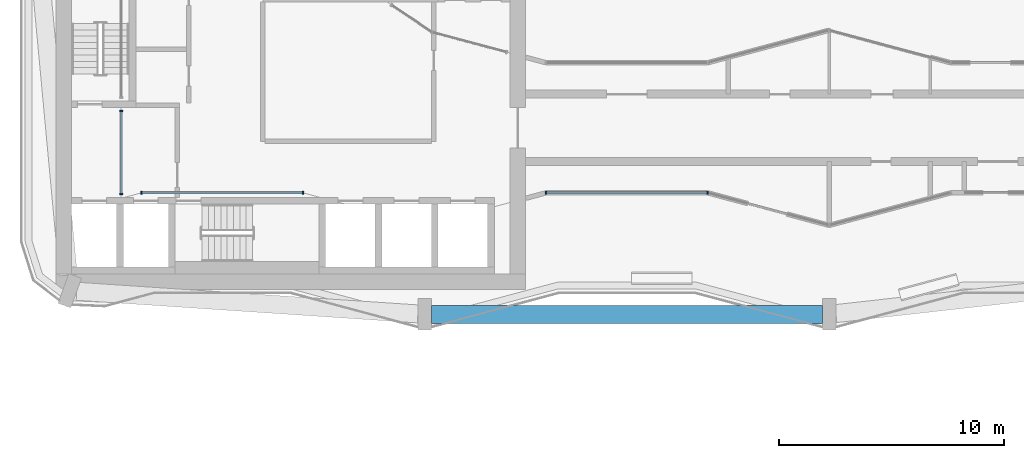
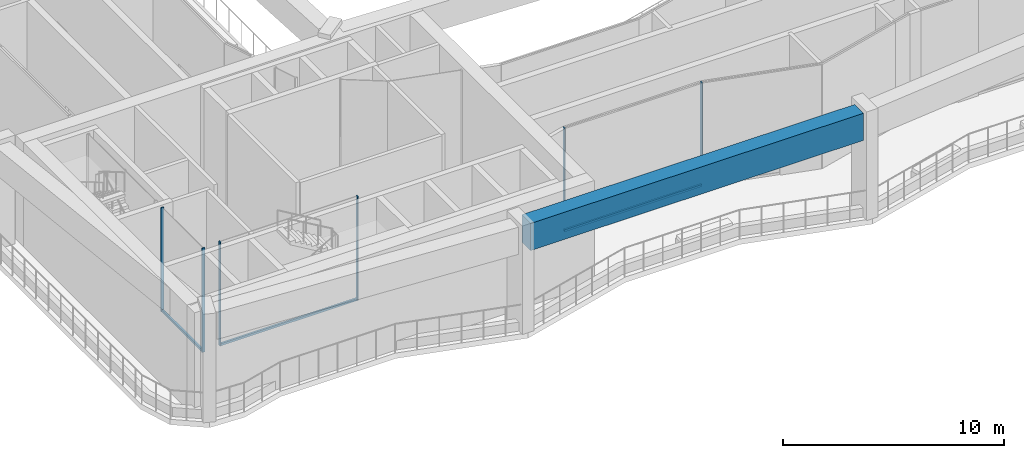
# One storey, part 2 of 24: 9 members, 1 beam, 3 elements without a shape of their own.
"""IFC4 building model written with IfcOpenShell, lengths in metres."""

import ifcopenshell
import ifcopenshell.guid

model = None  # the IFC model being written
_history = None  # IfcOwnerHistory: only IFC2X3 demands one
_inside = {}  # id of a spatial element -> (the spatial element, [elements in it])
_under = {}  # id of a project, library or spatial element -> (it, [spatial elements below it])
_declared = {}  # id of a project -> (the project, [libraries it declares])
_typed = {}  # id of a type object -> (the type object, [elements of that type])
_made_of = {}  # id of a material, layer set ... -> (it, [elements and type objects made of it])


def new_model(schema):
    """Start an empty IFC model of exactly this schema.

    Asked for "IFC4X3", IfcOpenShell would pick the latest addendum, in which some entities
    have other attributes; the version numbers below select the first issue.
    IFC2X3 requires an IfcOwnerHistory on every rooted entity: one is made here for all.
    """
    global model, _history
    if schema == "IFC4X3":
        model = ifcopenshell.file(schema_version=(4, 3, 0, 0))
    else:
        model = ifcopenshell.file(schema=schema)
    _inside.clear()
    _under.clear()
    _declared.clear()
    _typed.clear()
    _made_of.clear()
    _history = None
    if model.schema == "IFC2X3":
        org = make("IfcOrganization", Name="unknown")
        user = make(
            "IfcPersonAndOrganization",
            ThePerson=make("IfcPerson", FamilyName="unknown"),
            TheOrganization=org,
        )
        app = make(
            "IfcApplication",
            ApplicationDeveloper=org,
            Version="unknown",
            ApplicationFullName="unknown",
            ApplicationIdentifier="unknown",
        )
        _history = make(
            "IfcOwnerHistory",
            OwningUser=user,
            OwningApplication=app,
            ChangeAction="ADDED",
            CreationDate=0,
        )
    return model


def make(cls, **values):
    """One entity of the class cls with the attributes given. An attribute that is None is left unset."""
    return model.create_entity(
        cls, **{name: value for name, value in values.items() if value is not None}
    )


def rooted(cls, **values):
    """An entity with a GlobalId (a new one), such as an element, a storey or a relation."""
    return make(cls, GlobalId=ifcopenshell.guid.new(), OwnerHistory=_history, **values)


def si_unit(unit_type, name, prefix=None):
    """IfcSIUnit, for example si_unit("LENGTHUNIT", "METRE", prefix="MILLI")."""
    return make("IfcSIUnit", UnitType=unit_type, Prefix=prefix, Name=name)


def assignment(units):
    """IfcUnitAssignment: the units of a project."""
    return None if units is None else make("IfcUnitAssignment", Units=units)


def point(xyz):
    """IfcCartesianPoint."""
    return None if xyz is None else make("IfcCartesianPoint", Coordinates=xyz)


def direction(xyz):
    """IfcDirection."""
    return None if xyz is None else make("IfcDirection", DirectionRatios=xyz)


def frame(location, z_axis=None, x_axis=None):
    """IfcAxis2Placement3D, a coordinate frame: its origin and axes. An axis left out is left unset."""
    return make(
        "IfcAxis2Placement3D",
        Location=point(location),
        Axis=direction(z_axis),
        RefDirection=direction(x_axis),
    )


def frame_2d(location, x_axis=None):
    """IfcAxis2Placement2D, a coordinate frame in the plane: its origin and x axis."""
    return make(
        "IfcAxis2Placement2D", Location=point(location), RefDirection=direction(x_axis)
    )


def origin():
    """The frame at (0, 0, 0) with its axes left unset."""
    return frame((0.0, 0.0, 0.0))


def origin_2d():
    """The frame at (0, 0) in the plane with its x axis left unset."""
    return frame_2d((0.0, 0.0))


def place(relative_to, where):
    """IfcLocalPlacement: puts the frame where relative to a parent placement (None: the world)."""
    return make(
        "IfcLocalPlacement", PlacementRelTo=relative_to, RelativePlacement=where
    )


def context(
    kind, dimensions, precision=None, world=None, true_north=None, identifier=None
):
    """IfcGeometricRepresentationContext, for example the 3D "Model" context."""
    return make(
        "IfcGeometricRepresentationContext",
        ContextIdentifier=identifier,
        ContextType=kind,
        CoordinateSpaceDimension=dimensions,
        Precision=precision,
        WorldCoordinateSystem=world,
        TrueNorth=true_north,
    )


def subcontext(parent, identifier, kind, view, scale=None):
    """IfcGeometricRepresentationSubContext, for example "Body" below "Model"."""
    return make(
        "IfcGeometricRepresentationSubContext",
        ContextIdentifier=identifier,
        ContextType=kind,
        ParentContext=parent,
        TargetScale=scale,
        TargetView=view,
    )


def project(units=None, contexts=None):
    """IfcProject with its units and contexts."""
    return rooted(
        "IfcProject",
        Name="project",
        RepresentationContexts=contexts,
        UnitsInContext=assignment(units),
    )


def spatial(cls, under=None, at=None, **own):
    """A site, building, storey or space (cls), placed at a placement, below another one or the project."""
    s = rooted(cls, ObjectPlacement=at, **own)
    if under is not None:
        _under.setdefault(under.id(), (under, []))[1].append(s)
    return s


def profile(cls, at=None, kind="AREA", **sizes):
    """A parametric profile (cls). Its sizes go by their IFC names, for example OverallWidth=200.0."""
    return make(cls, ProfileType=kind, Position=at, **sizes)


def rectangle(**sizes):
    """IfcRectangleProfileDef."""
    return profile("IfcRectangleProfileDef", **sizes)


def extrude(swept, where, along, depth):
    """IfcExtrudedAreaSolid: the profile swept, set in the frame where, extruded along a direction by depth."""
    return make(
        "IfcExtrudedAreaSolid",
        SweptArea=swept,
        Position=where,
        ExtrudedDirection=direction(along),
        Depth=depth,
    )


def shape(context_of_items, identifier, shape_type, items):
    """IfcShapeRepresentation: the items that make up one representation, for example the "Body"."""
    return make(
        "IfcShapeRepresentation",
        ContextOfItems=context_of_items,
        RepresentationIdentifier=identifier,
        RepresentationType=shape_type,
        Items=items,
    )


def material(Name=None, Category=None):
    """IfcMaterial."""
    return make("IfcMaterial", Name=Name, Category=Category)


def layer(
    of_material, thickness, ventilated=None, Name=None, Category=None, Priority=None
):
    """IfcMaterialLayer: one layer of a wall or slab, of a material (None: an air gap)."""
    return make(
        "IfcMaterialLayer",
        Material=of_material,
        LayerThickness=thickness,
        IsVentilated=ventilated,
        Name=Name,
        Category=Category,
        Priority=Priority,
    )


def layer_set(layers, Name=None):
    """IfcMaterialLayerSet."""
    return make("IfcMaterialLayerSet", MaterialLayers=layers, LayerSetName=Name)


def material_profile(
    of_material, cross_section, Name=None, Category=None, Priority=None
):
    """IfcMaterialProfile: a cross section and its material."""
    return make(
        "IfcMaterialProfile",
        Name=Name,
        Material=of_material,
        Profile=cross_section,
        Priority=Priority,
        Category=Category,
    )


def profile_set(profiles, Name=None, composite=None):
    """IfcMaterialProfileSet."""
    return make(
        "IfcMaterialProfileSet",
        Name=Name,
        MaterialProfiles=profiles,
        CompositeProfile=composite,
    )


def made_of(thing, what):
    """Note that an element or type object is made of a material, layer set ...; save() writes the relation."""
    if what is not None:
        _made_of.setdefault(what.id(), (what, []))[1].append(thing)
    return thing


def type_object(cls, material=None, **own):
    """A type object (cls), such as IfcWallType, which elements share."""
    return made_of(rooted(cls, **own), material)


def element(
    cls,
    number,
    at=None,
    inside=None,
    cuts=None,
    type_object=None,
    material=None,
    context=None,
    identifier="Body",
    shape_type=None,
    held_by="IfcProductDefinitionShape",
    body=None,
    shapes=None,
    **own,
):
    """One element of the class cls, such as IfcWall. Its Tag is "e" and its number.

    at: its placement. inside: the storey or other place that contains it. cuts: it is an
    opening in that element (IfcRelVoidsElement). A single representation is given by context,
    identifier, shape_type and body (its items); several are given by shapes. held_by: the class
    of the entity that holds the representations. save() writes the other relations.
    """
    e = rooted(cls, Tag="e%d" % number, ObjectPlacement=at, **own)
    if body is not None:
        shapes = [shape(context, identifier, shape_type, body)]
    if shapes is not None:
        e.Representation = make(held_by, Representations=shapes)
    if inside is not None:
        _inside.setdefault(inside.id(), (inside, []))[1].append(e)
    if cuts is not None:
        rooted(
            "IfcRelVoidsElement", RelatingBuildingElement=cuts, RelatedOpeningElement=e
        )
    if type_object is not None:
        _typed.setdefault(type_object.id(), (type_object, []))[1].append(e)
    return made_of(e, material)


def aggregate(whole, parts):
    """IfcRelAggregates: a whole, such as a stair, and the parts it consists of."""
    return rooted("IfcRelAggregates", RelatingObject=whole, RelatedObjects=parts)


def save(model, path):
    """Write the relations noted so far, then the file.

    IfcRelAggregates (storeys below a building ...), IfcRelContainedInSpatialStructure (elements
    in a storey), IfcRelDefinesByType, IfcRelAssociatesMaterial and IfcRelDeclares: one each for
    every whole, place, type object, material and project.
    """
    for whole, parts in _under.values():
        aggregate(whole, parts)
    for where, things in _inside.values():
        rooted(
            "IfcRelContainedInSpatialStructure",
            RelatedElements=things,
            RelatingStructure=where,
        )
    for kind, things in _typed.values():
        rooted("IfcRelDefinesByType", RelatedObjects=things, RelatingType=kind)
    for what, things in _made_of.values():
        rooted("IfcRelAssociatesMaterial", RelatedObjects=things, RelatingMaterial=what)
    for by, libraries in _declared.values():
        rooted("IfcRelDeclares", RelatingContext=by, RelatedDefinitions=libraries)
    model.write(path)


model = new_model("IFC4")

# Units and contexts
model_context = context("Model", 3, precision=1e-05, world=origin(), true_north=direction((0.0, 1.0)))
body_context = subcontext(model_context, "Body", "Model", "MODEL_VIEW")
ifc_project = project(units=[si_unit("LENGTHUNIT", "METRE"), si_unit("AREAUNIT", "SQUARE_METRE"), si_unit("VOLUMEUNIT", "CUBIC_METRE"), si_unit("PLANEANGLEUNIT", "RADIAN"), si_unit("MASSUNIT", "GRAM", prefix="KILO")], contexts=[model_context])

# Site, building, storey
site_placement = place(None, origin())
site = spatial("IfcSite", under=ifc_project, at=site_placement, CompositionType="ELEMENT")
building_placement = place(site_placement, origin())
building = spatial("IfcBuilding", under=site, at=building_placement, Name="Plateau Cross Towers", CompositionType="ELEMENT")
storey_placement = place(building_placement, frame((0.0, 0.0, 72.300048828125)))
storey = spatial("IfcBuildingStorey", under=building, at=storey_placement, Name="L18", CompositionType="ELEMENT", Elevation=72.300048828125)

# Beam
ifc_material_1 = material(Name="Concrete C60/75", Category="concrete")
ifc_material_profile_1 = material_profile(ifc_material_1, rectangle(XDim=0.800048828125, YDim=1.5, at=origin_2d()), Name="RC 800x1500")
ifc_profile_set_1 = profile_set([ifc_material_profile_1], Name="Concrete C60/75")
beam_type = type_object("IfcBeamType", Name="Belt beam RC 800x1500", PredefinedType="BEAM", material=ifc_profile_set_1)
beam_placement = place(storey_placement, frame((18.300048828125, 0.699951171875, 5.0), z_axis=(1.0, 0.0, 0.0), x_axis=(0.0, 1.0, 0.0)))
element("IfcBeam", 1, at=beam_placement, inside=storey, type_object=beam_type, Name="BELT-L18-01", PredefinedType="BEAM", context=body_context, shape_type="SweptSolid", body=[
    extrude(rectangle(XDim=0.800048828125, YDim=1.5, at=origin_2d()), origin(), (0.0, 0.0, 1.0), 17.39990234375),
])

# Curtain wall, members
ifc_material_2 = material(Name="Dark low-iron glass", Category="glass")
ifc_layer = layer(ifc_material_2, 0.239990234375)
ifc_layer_set = layer_set([ifc_layer], Name="Dark low-iron glass")
curtain_wall_type = type_object("IfcCurtainWallType", Name="Curtain wall flush unitised CW-B", PredefinedType="NOTDEFINED", material=ifc_layer_set)
curtain_wall_1_placement = place(storey_placement, origin())
curtain_wall_1 = element("IfcCurtainWall", 2, at=curtain_wall_1_placement, inside=storey, type_object=curtain_wall_type, Name="ENV/A/L18/inner0_45_60", PredefinedType="NOTDEFINED")
ifc_material_3 = material(Name="Black anodised aluminium", Category="aluminium")
ifc_material_profile_2 = material_profile(ifc_material_3, rectangle(XDim=0.06005859375, YDim=0.139892578125, at=origin_2d()), Name="MULLION 60x140")
ifc_profile_set_2 = profile_set([ifc_material_profile_2], Name="Black anodised aluminium")
member_type_1 = type_object("IfcMemberType", Name="Mullion 60x140 flush unitised", PredefinedType="MULLION", material=ifc_profile_set_2)
member_1_placement = place(storey_placement, frame((4.5, 6.050048828125, 0.0), z_axis=(0.0, 0.0, 1.0), x_axis=(0.0, 1.0, 0.0)))
member_1 = element("IfcMember", 3, at=member_1_placement, type_object=member_type_1, Name="CW-B mullion 1", PredefinedType="MULLION", context=body_context, shape_type="SweptSolid", body=[
    extrude(rectangle(XDim=0.06005859375, YDim=0.139892578125, at=origin_2d()), origin(), (0.0, 0.0, 1.0), 5.75),
])
member_2_placement = place(storey_placement, frame((4.5, 9.75, 0.0), z_axis=(0.0, 0.0, 1.0), x_axis=(0.0, 1.0, 0.0)))
member_2 = element("IfcMember", 4, at=member_2_placement, type_object=member_type_1, Name="CW-B mullion 2", PredefinedType="MULLION", context=body_context, shape_type="SweptSolid", body=[
    extrude(rectangle(XDim=0.06005859375, YDim=0.139892578125, at=origin_2d()), origin(), (0.0, 0.0, 1.0), 5.75),
])

curtain_wall_2_placement = place(storey_placement, origin())
curtain_wall_2 = element("IfcCurtainWall", 5, at=curtain_wall_2_placement, inside=storey, type_object=curtain_wall_type, Name="ENV/A/L18/inner0_306_61", PredefinedType="NOTDEFINED")
member_3_placement = place(storey_placement, frame((30.592041015625, 6.10693359375, 0.0), z_axis=(0.0, 0.0, 1.0), x_axis=(-1.0, 0.0, 0.0)))
member_3 = element("IfcMember", 6, at=member_3_placement, type_object=member_type_1, Name="CW-B mullion 1", PredefinedType="MULLION", context=body_context, shape_type="SweptSolid", body=[
    extrude(rectangle(XDim=0.06005859375, YDim=0.139892578125, at=origin_2d()), origin(), (0.0, 0.0, 1.0), 5.75),
])
member_4_placement = place(storey_placement, frame((23.407958984375, 6.10693359375, 0.0), z_axis=(0.0, 0.0, 1.0), x_axis=(-1.0, 0.0, 0.0)))
member_4 = element("IfcMember", 7, at=member_4_placement, type_object=member_type_1, Name="CW-B mullion 2", PredefinedType="MULLION", context=body_context, shape_type="SweptSolid", body=[
    extrude(rectangle(XDim=0.06005859375, YDim=0.139892578125, at=origin_2d()), origin(), (0.0, 0.0, 1.0), 5.75),
])

curtain_wall_3_placement = place(storey_placement, origin())
curtain_wall_3 = element("IfcCurtainWall", 8, at=curtain_wall_3_placement, inside=storey, type_object=curtain_wall_type, Name="ENV/A/L18/inner0_126_61", PredefinedType="NOTDEFINED")
member_5_placement = place(storey_placement, frame((12.592041015625, 6.10693359375, 0.0), z_axis=(0.0, 0.0, 1.0), x_axis=(-1.0, 0.0, 0.0)))
member_5 = element("IfcMember", 9, at=member_5_placement, type_object=member_type_1, Name="CW-B mullion 1", PredefinedType="MULLION", context=body_context, shape_type="SweptSolid", body=[
    extrude(rectangle(XDim=0.06005859375, YDim=0.139892578125, at=origin_2d()), origin(), (0.0, 0.0, 1.0), 5.75),
])
member_6_placement = place(storey_placement, frame((5.407958984375, 6.10693359375, 0.0), z_axis=(0.0, 0.0, 1.0), x_axis=(-1.0, 0.0, 0.0)))
member_6 = element("IfcMember", 10, at=member_6_placement, type_object=member_type_1, Name="CW-B mullion 2", PredefinedType="MULLION", context=body_context, shape_type="SweptSolid", body=[
    extrude(rectangle(XDim=0.06005859375, YDim=0.139892578125, at=origin_2d()), origin(), (0.0, 0.0, 1.0), 5.75),
])

# Member
ifc_material_profile_3 = material_profile(ifc_material_3, rectangle(XDim=0.10009765625, YDim=0.1201171875, at=origin_2d()), Name="TRANSOM 100x120")
ifc_profile_set_3 = profile_set([ifc_material_profile_3], Name="Black anodised aluminium")
member_type_2 = type_object("IfcMemberType", Name="Transom 100x120 flush unitised", PredefinedType="USERDEFINED", material=ifc_profile_set_3)
member_7_placement = place(storey_placement, frame((4.5, 6.050048828125, 0.06005859375), z_axis=(0.0, 1.0, 0.0), x_axis=(-1.0, 0.0, 0.0)))
member_7 = element("IfcMember", 11, at=member_7_placement, type_object=member_type_2, Name="CW-B transom", ObjectType="TRANSOM", PredefinedType="USERDEFINED", context=body_context, shape_type="SweptSolid", body=[
    extrude(rectangle(XDim=0.10009765625, YDim=0.1201171875, at=origin_2d()), origin(), (0.0, 0.0, 1.0), 3.699951171875),
])

aggregate(curtain_wall_1, [member_1, member_2, member_7])

member_8_placement = place(storey_placement, frame((30.592041015625, 6.10693359375, 0.06005859375), z_axis=(-1.0, 0.0, 0.0), x_axis=(0.0, -1.0, 0.0)))
member_8 = element("IfcMember", 12, at=member_8_placement, type_object=member_type_2, Name="CW-B transom", ObjectType="TRANSOM", PredefinedType="USERDEFINED", context=body_context, shape_type="SweptSolid", body=[
    extrude(rectangle(XDim=0.10009765625, YDim=0.1201171875, at=origin_2d()), origin(), (0.0, 0.0, 1.0), 7.18408203125),
])

aggregate(curtain_wall_2, [member_3, member_4, member_8])

member_9_placement = place(storey_placement, frame((12.592041015625, 6.10693359375, 0.06005859375), z_axis=(-1.0, 0.0, 0.0), x_axis=(0.0, -1.0, 0.0)))
member_9 = element("IfcMember", 13, at=member_9_placement, type_object=member_type_2, Name="CW-B transom", ObjectType="TRANSOM", PredefinedType="USERDEFINED", context=body_context, shape_type="SweptSolid", body=[
    extrude(rectangle(XDim=0.10009765625, YDim=0.1201171875, at=origin_2d()), origin(), (0.0, 0.0, 1.0), 7.18408203125),
])

aggregate(curtain_wall_3, [member_5, member_6, member_9])

save(model, "model.ifc")
